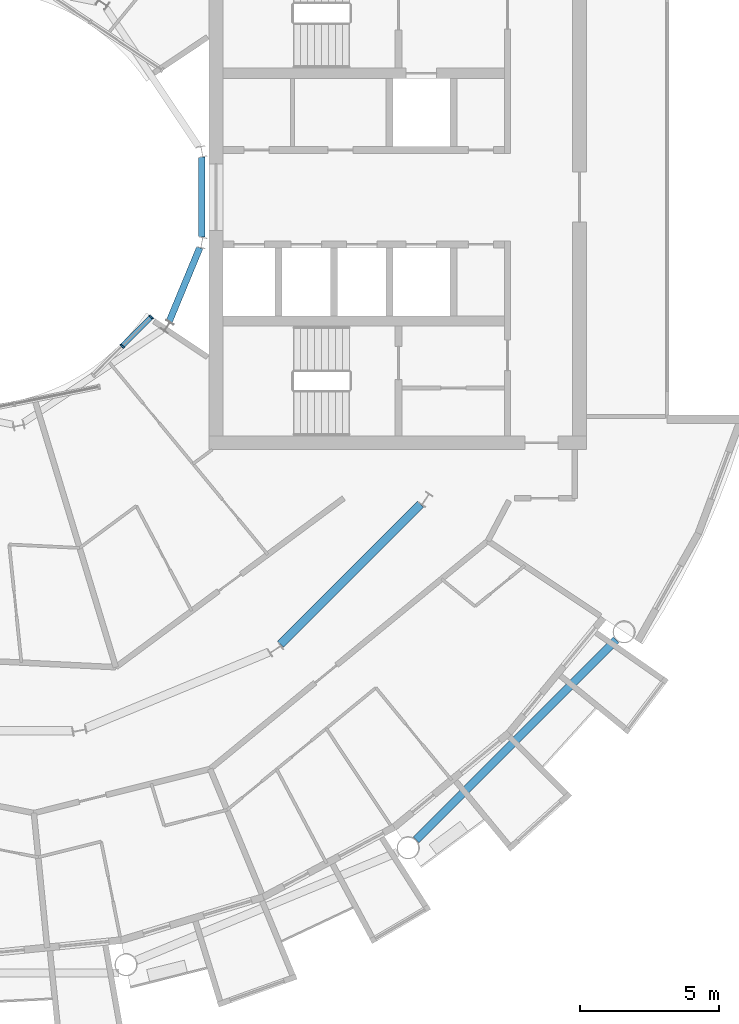
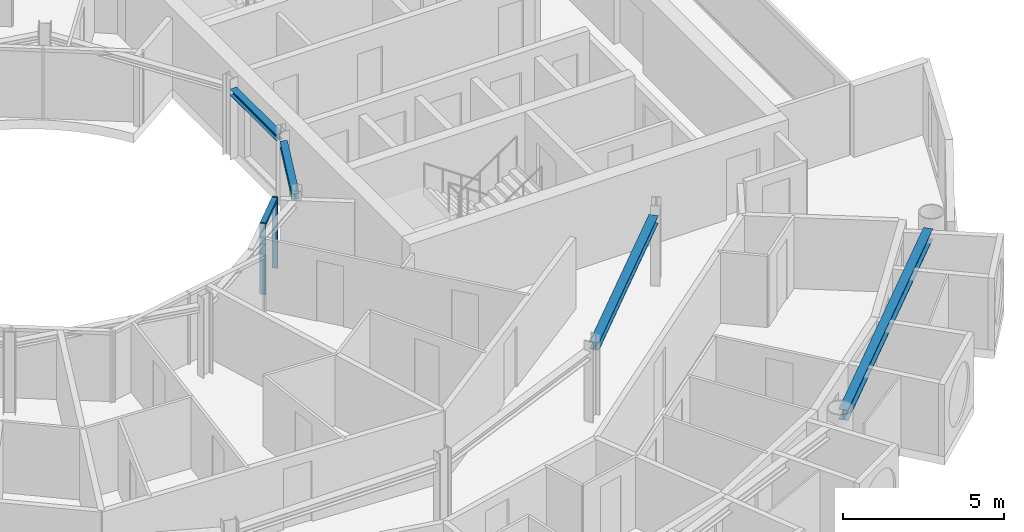
# One storey, part 7 of 26: 4 beams, 3 members, 1 element without a shape of its own.
"""IFC4 building model written with IfcOpenShell, lengths in metres."""

from ifc_helpers import new_model, si_unit, direction, frame, origin, origin_2d, place, context, subcontext, project, spatial, rectangle, i_section, extrude, material, layer, layer_set, material_profile, profile_set, type_object, element, aggregate, save


model = new_model("IFC4")

# Units and contexts
model_context = context("Model", 3, precision=1e-05, world=origin(), true_north=direction((0.0, 1.0)))
body_context = subcontext(model_context, "Body", "Model", "MODEL_VIEW")
ifc_project = project(units=[si_unit("LENGTHUNIT", "METRE"), si_unit("AREAUNIT", "SQUARE_METRE"), si_unit("VOLUMEUNIT", "CUBIC_METRE"), si_unit("PLANEANGLEUNIT", "RADIAN"), si_unit("MASSUNIT", "GRAM", prefix="KILO")], contexts=[model_context])

# Site, building, storey
site_placement = place(None, origin())
site = spatial("IfcSite", under=ifc_project, at=site_placement, CompositionType="ELEMENT")
building_placement = place(site_placement, origin())
building = spatial("IfcBuilding", under=site, at=building_placement, Name="Maasbend Ring Residences", CompositionType="ELEMENT")
storey_placement = place(building_placement, frame((0.0, 0.0, 154.35009765625)))
storey = spatial("IfcBuildingStorey", under=building, at=storey_placement, Name="L44", CompositionType="ELEMENT", Elevation=154.35009765625)

# Curtain wall, members
ifc_material_1 = material(Name="Aluminium and clear glass", Category="aluminium")
ifc_layer = layer(ifc_material_1, 0.179931640625)
ifc_layer_set = layer_set([ifc_layer], Name="CW-W")
curtain_wall_type = type_object("IfcCurtainWallType", Name="CW-W", PredefinedType="NOTDEFINED", material=ifc_layer_set)
curtain_wall_placement = place(storey_placement, origin())
curtain_wall = element("IfcCurtainWall", 1, at=curtain_wall_placement, inside=storey, type_object=curtain_wall_type, Name="Well curtain wall S3", PredefinedType="NOTDEFINED")
ifc_material_2 = material(Name="Aluminium 6063-T6", Category="aluminium")
ifc_material_profile_1 = material_profile(ifc_material_2, rectangle(XDim=0.179931640625, YDim=0.06005859375, at=origin_2d()), Name="AL 180x60")
ifc_profile_set_1 = profile_set([ifc_material_profile_1], Name="Aluminium 6063-T6")
member_type_1 = type_object("IfcMemberType", Name="CWM-W", PredefinedType="MULLION", material=ifc_profile_set_1)
member_1_placement = place(storey_placement, frame((5.366943359375, -5.366943359375, 0.0), z_axis=(0.0, 0.0, 1.0), x_axis=(-0.707106781187, 0.707106781187, 0.0)))
member_1 = element("IfcMember", 2, at=member_1_placement, type_object=member_type_1, Name="Mullion well face", PredefinedType="MULLION", context=body_context, shape_type="SweptSolid", body=[
    extrude(rectangle(XDim=0.179931640625, YDim=0.06005859375, at=origin_2d()), origin(), (0.0, 0.0, 1.0), 2.699951171875),
])
member_2_placement = place(storey_placement, frame((6.413330078125, -4.320556640625, 0.0), z_axis=(0.0, 0.0, 1.0), x_axis=(-0.707106781187, 0.707106781187, 0.0)))
member_2 = element("IfcMember", 3, at=member_2_placement, type_object=member_type_1, Name="Mullion well face", PredefinedType="MULLION", context=body_context, shape_type="SweptSolid", body=[
    extrude(rectangle(XDim=0.179931640625, YDim=0.06005859375, at=origin_2d()), origin(), (0.0, 0.0, 1.0), 2.699951171875),
])
ifc_material_3 = material(Name="Aluminium 6063-T6", Category="aluminium")
ifc_material_profile_2 = material_profile(ifc_material_3, rectangle(XDim=0.179931640625, YDim=0.1201171875, at=origin_2d()), Name="AL 180x120")
ifc_profile_set_2 = profile_set([ifc_material_profile_2], Name="Aluminium 6063-T6")
member_type_2 = type_object("IfcMemberType", Name="CWT-W", PredefinedType="USERDEFINED", material=ifc_profile_set_2)
member_3_placement = place(storey_placement, frame((5.38818359375, -5.345703125, 2.639892578125), z_axis=(0.707106781187, 0.707106781187, 0.0), x_axis=(-0.707106781187, 0.707106781187, 0.0)))
member_3 = element("IfcMember", 4, at=member_3_placement, type_object=member_type_2, Name="Transom well face", ObjectType="TRANSOM", PredefinedType="USERDEFINED", context=body_context, shape_type="SweptSolid", body=[
    extrude(rectangle(XDim=0.179931640625, YDim=0.1201171875, at=origin_2d()), origin(), (0.0, 0.0, 1.0), 1.419677734375),
])
aggregate(curtain_wall, [member_1, member_2, member_3])

# Beams
ifc_material_4 = material(Name="Steel S355J2", Category="steel")
ifc_material_profile_3 = material_profile(ifc_material_4, i_section(OverallWidth=0.300048828125, OverallDepth=0.2900390625, WebThickness=0.008544921875, FlangeThickness=0.013916015625, FilletRadius=0.027099609375, at=origin_2d()), Name="HEA 300")
ifc_profile_set_3 = profile_set([ifc_material_profile_3], Name="Steel S355J2")
beam_type_1 = type_object("IfcBeamType", Name="Corridor ring beam HEA 300", PredefinedType="BEAM", material=ifc_profile_set_3)
beam_1_placement = place(storey_placement, frame((11.0693359375, -16.11669921875, 2.554931640625), z_axis=(0.707106781187, 0.707106781187, 0.0), x_axis=(-0.707106781187, 0.707106781187, 0.0)))
element("IfcBeam", 5, at=beam_1_placement, inside=storey, type_object=beam_type_1, Name="Corridor ring beam", PredefinedType="BEAM", context=body_context, shape_type="SweptSolid", body=[
    extrude(i_section(OverallWidth=0.300048828125, OverallDepth=0.2900390625, WebThickness=0.008544921875, FlangeThickness=0.013916015625, FilletRadius=0.027099609375, at=origin_2d()), origin(), (0.0, 0.0, 1.0), 7.137939453125),
])
ifc_material_5 = material(Name="Steel S355J2", Category="steel")
ifc_material_profile_4 = material_profile(ifc_material_5, i_section(OverallWidth=0.300048828125, OverallDepth=0.39990234375, WebThickness=0.013427734375, FlangeThickness=0.02392578125, FilletRadius=0.027099609375, at=origin_2d()), Name="HEB 400")
ifc_profile_set_4 = profile_set([ifc_material_profile_4], Name="Steel S355J2")
beam_type_2 = type_object("IfcBeamType", Name="Spandrel ring beam HEB 400", PredefinedType="SPANDREL", material=ifc_profile_set_4)
beam_2_placement = place(storey_placement, frame((15.95458984375, -23.159912109375, 2.5), z_axis=(0.707106781187, 0.707106781187, 0.0), x_axis=(-0.707106781187, 0.707106781187, 0.0)))
element("IfcBeam", 6, at=beam_2_placement, inside=storey, type_object=beam_type_2, Name="Spandrel ring beam", PredefinedType="SPANDREL", context=body_context, shape_type="SweptSolid", body=[
    extrude(i_section(OverallWidth=0.300048828125, OverallDepth=0.39990234375, WebThickness=0.013427734375, FlangeThickness=0.02392578125, FilletRadius=0.027099609375, at=origin_2d()), origin(), (0.0, 0.0, 1.0), 10.18994140625),
])
ifc_material_6 = material(Name="Steel S355J2", Category="steel")
ifc_material_profile_5 = material_profile(ifc_material_6, i_section(OverallWidth=0.239990234375, OverallDepth=0.22998046875, WebThickness=0.007568359375, FlangeThickness=0.011962890625, FilletRadius=0.02099609375, at=origin_2d()), Name="HEA 240")
ifc_profile_set_5 = profile_set([ifc_material_profile_5], Name="Steel S355J2")
beam_type_3 = type_object("IfcBeamType", Name="Well edge beam HEA 240", PredefinedType="BEAM", material=ifc_profile_set_5)
for number, where, z_axis, x_axis, name in (
    (7, (7.060302734375, -4.483154296875, 2.5849609375), (0.382748596828, 0.923852537814, 0.0), (-0.923852537814, 0.382748596828, 0.0), "Well edge beam"),
    (8, (8.238525390625, -1.43994140625, 2.5849609375), (0.0, 1.0, 0.0), (-1.0, 0.0, 0.0), "Well edge beam"),
):
    element("IfcBeam", number, at=place(storey_placement, frame(where, z_axis=z_axis, x_axis=x_axis)), inside=storey, type_object=beam_type_3, Name=name, PredefinedType="BEAM", context=body_context, shape_type="SweptSolid", body=[
        extrude(i_section(OverallWidth=0.239990234375, OverallDepth=0.22998046875, WebThickness=0.007568359375, FlangeThickness=0.011962890625, FilletRadius=0.02099609375, at=origin_2d()), origin(), (0.0, 0.0, 1.0), 2.8798828125),
    ])

save(model, "model.ifc")
